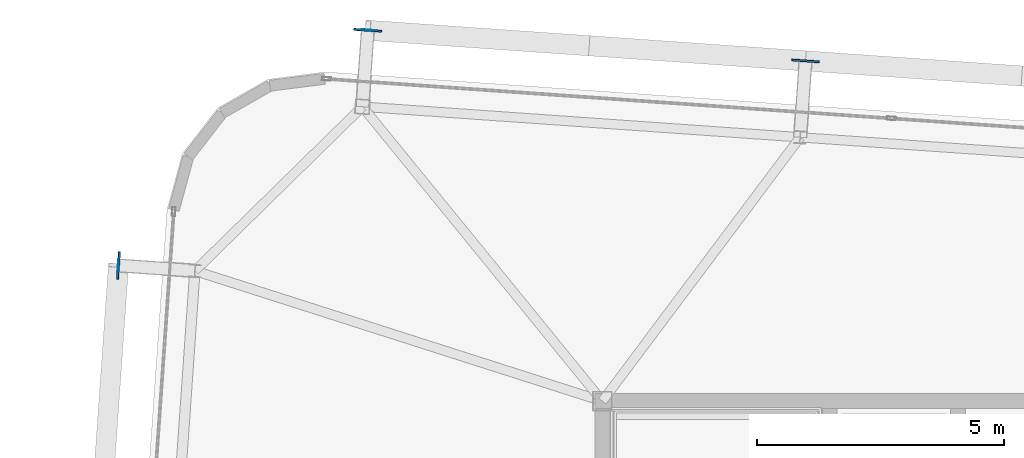
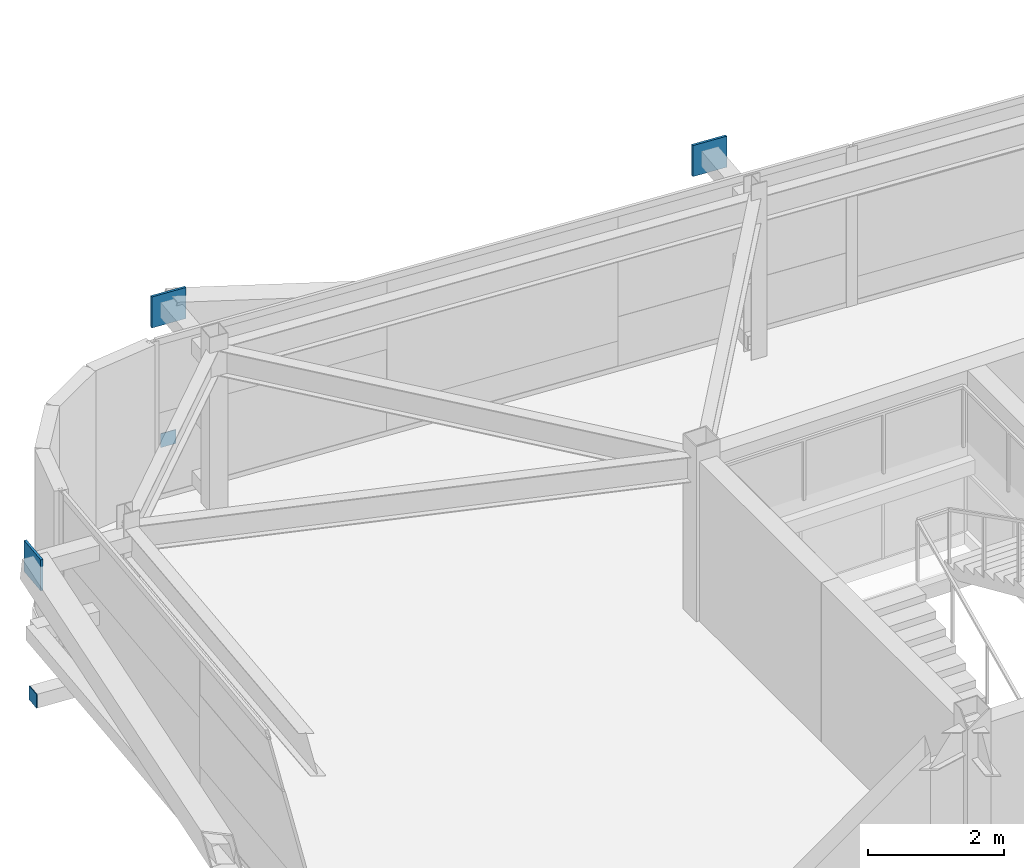
# One storey, part 32 of 39: 5 plates.
"""IFC4 building model written with IfcOpenShell, lengths in metres."""

from ifc_helpers import new_model, si_unit, direction, frame, origin, origin_2d, place, context, subcontext, project, spatial, rectangle, extrude, source, transform, mapped, material, layer, layer_set, type_object, element, save


model = new_model("IFC4")

# Units and contexts
model_context = context("Model", 3, precision=1e-05, world=origin(), true_north=direction((0.0, 1.0)))
body_context = subcontext(model_context, "Body", "Model", "MODEL_VIEW")
ifc_project = project(units=[si_unit("LENGTHUNIT", "METRE"), si_unit("AREAUNIT", "SQUARE_METRE"), si_unit("VOLUMEUNIT", "CUBIC_METRE"), si_unit("PLANEANGLEUNIT", "RADIAN"), si_unit("MASSUNIT", "GRAM", prefix="KILO")], contexts=[model_context])

# Site, building, storey
site_placement = place(None, origin())
site = spatial("IfcSite", under=ifc_project, at=site_placement, CompositionType="ELEMENT")
building_placement = place(site_placement, origin())
building = spatial("IfcBuilding", under=site, at=building_placement, Name="Taldren Reach Tower", CompositionType="ELEMENT")
storey_placement = place(building_placement, frame((0.0, 0.0, 161.35009765625)))
storey = spatial("IfcBuildingStorey", under=building, at=storey_placement, Name="L49", CompositionType="ELEMENT", Elevation=161.35009765625)

# Plates
ifc_material_1 = material(Name="Steel Gr 450 (C450L0)", Category="steel")
ifc_layer_1 = layer(ifc_material_1, 0.0400390625)
ifc_layer_set_1 = layer_set([ifc_layer_1], Name="Steel Gr 450 (C450L0)")
plate_type_1 = type_object("IfcPlateType", Name="PL-GUSSET-40", PredefinedType="SHEET", material=ifc_layer_set_1)
shared_shape_1 = source(origin(), body_context, "Body", "SweptSolid", [
    extrude(rectangle(XDim=0.56005859375, YDim=0.0400390625, at=origin_2d()), origin(), (0.0, 0.0, 1.0), 0.56005859375),
])
for number, where, z_axis, x_axis, name in (
    (1, (14.252685546875, 39.5048828125, 2.309814453125), (0.0, 0.0, 1.0), (0.99756405026, -0.069756473744, 0.0), "Exoskeleton star-node gusset plate B3-N1 L49"),
    (2, (23.111083984375, 38.885498046875, 2.309814453125), (0.0, 0.0, 1.0), (0.99756405026, -0.069756473744, 0.0), "Exoskeleton star-node gusset plate B3-N2 L49"),
    (3, (9.20849609375, 34.745361328125, 2.309814453125), (0.0, 0.0, 1.0), (0.069756473744, 0.99756405026, 0.0), "Exoskeleton star-node gusset plate B3-W3 L49"),
):
    element("IfcPlate", number, at=place(storey_placement, frame(where, z_axis=z_axis, x_axis=x_axis)), inside=storey, type_object=plate_type_1, Name=name, PredefinedType="SHEET", context=body_context, shape_type="MappedRepresentation", body=[
        mapped(shared_shape_1, transform((0.0, 0.0, 0.0), scale=1.0)),
    ])
ifc_material_2 = material(Name="Steel Gr 350 (C350L0)", Category="steel")
ifc_layer_2 = layer(ifc_material_2, 0.011962890625)
ifc_layer_set_2 = layer_set([ifc_layer_2], Name="Steel Gr 350 (C350L0)")
plate_type_2 = type_object("IfcPlateType", Name="PL-CAP-250", PredefinedType="SHEET", material=ifc_layer_set_2)
shared_shape_2 = source(origin(), body_context, "Body", "SweptSolid", [
    extrude(rectangle(XDim=0.25, YDim=0.011962890625, at=origin_2d()), origin(), (0.0, 0.0, 1.0), 0.25),
])
plate_1_placement = place(storey_placement, frame((14.253173828125, 39.510986328125, 0.094970703125), z_axis=(0.0, 0.0, 1.0), x_axis=(0.99756405026, -0.069756473744, 0.0)))
element("IfcPlate", 4, at=plate_1_placement, inside=storey, type_object=plate_type_2, Name="Tie strut end cap plate B3-N1 L49", PredefinedType="SHEET", context=body_context, shape_type="MappedRepresentation", body=[
    mapped(shared_shape_2, transform((0.0, 0.0, 0.0), scale=1.0)),
])
shared_shape_3 = source(origin(), body_context, "Body", "SweptSolid", [
    extrude(rectangle(XDim=0.011962890625, YDim=0.25, at=origin_2d()), origin(), (0.0, 0.0, 1.0), 0.25),
])
plate_2_placement = place(storey_placement, frame((9.202392578125, 34.74560546875, 0.094970703125), z_axis=(0.0, 0.0, 1.0), x_axis=(0.99756405026, -0.069756473744, 0.0)))
element("IfcPlate", 5, at=plate_2_placement, inside=storey, type_object=plate_type_2, Name="Tie strut end cap plate B3-W3 L49", PredefinedType="SHEET", context=body_context, shape_type="MappedRepresentation", body=[
    mapped(shared_shape_3, transform((0.0, 0.0, 0.0), scale=1.0)),
])

save(model, "model.ifc")
